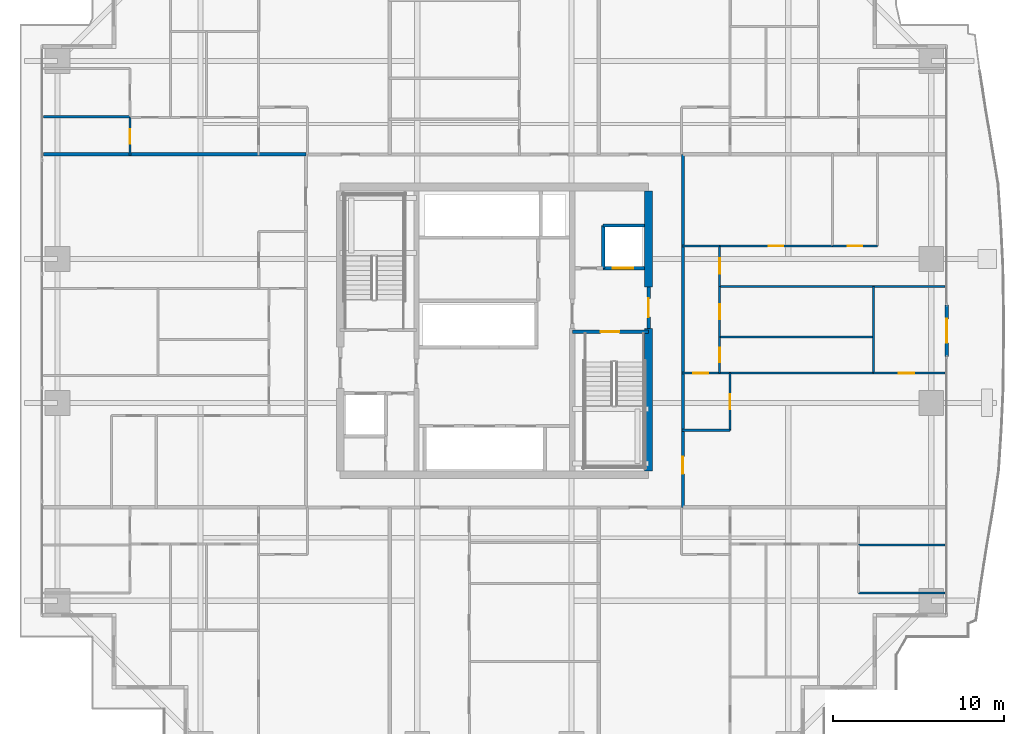
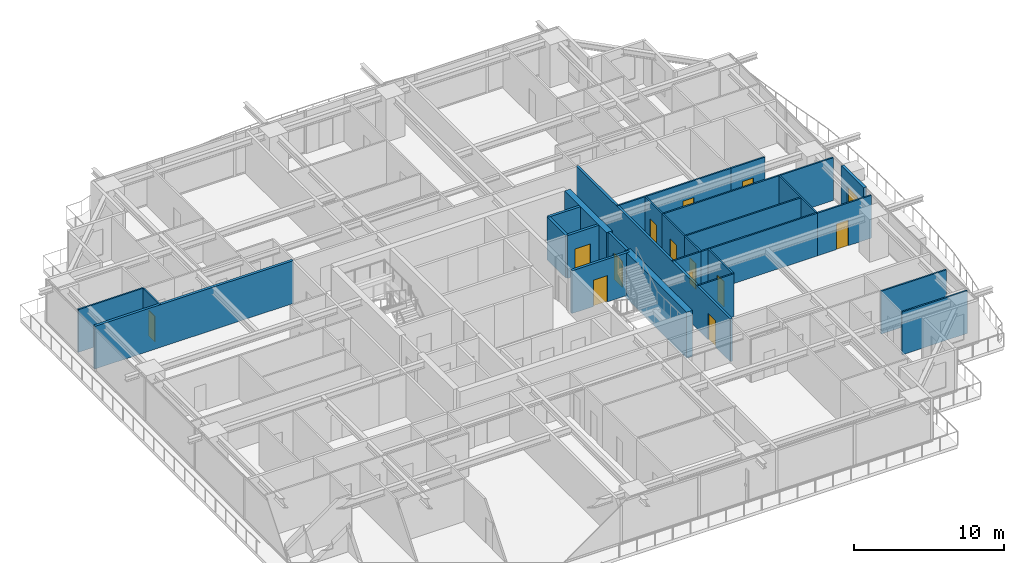
# One storey, part 29 of 38: 28 walls, 14 doors, 14 openings.
"""IFC4 building model written with IfcOpenShell, lengths in metres."""

from ifc_helpers import new_model, si_unit, direction, frame, frame_2d, origin, place, context, subcontext, project, spatial, rectangle, extrude, source, transform, mapped, material, layer, layer_set, type_object, element, fill, save


model = new_model("IFC4")

# Units and contexts
model_context = context("Model", 3, precision=1e-05, world=origin(), true_north=direction((0.0, 1.0)))
body_context = subcontext(model_context, "Body", "Model", "MODEL_VIEW")
ifc_project = project(units=[si_unit("LENGTHUNIT", "METRE"), si_unit("AREAUNIT", "SQUARE_METRE"), si_unit("VOLUMEUNIT", "CUBIC_METRE"), si_unit("PLANEANGLEUNIT", "RADIAN"), si_unit("MASSUNIT", "GRAM", prefix="KILO")], contexts=[model_context])

# Site, building, storey
site_placement = place(None, origin())
site = spatial("IfcSite", under=ifc_project, at=site_placement, CompositionType="ELEMENT")
building_placement = place(site_placement, origin())
building = spatial("IfcBuilding", under=site, at=building_placement, Name="Serunith Strait Residences", CompositionType="ELEMENT")
storey_placement = place(building_placement, frame((0.0, 0.0, 30.449951171875)))
storey = spatial("IfcBuildingStorey", under=building, at=storey_placement, Name="L06", CompositionType="ELEMENT", Elevation=30.449951171875)

# Wall, opening, door
ifc_material_1 = material(Name="Pale-Champagne Aluminium Insulated Panel", Category="aluminium")
ifc_layer_1 = layer(ifc_material_1, 0.219970703125, Name="Pale-Champagne Aluminium Insulated Panel")
ifc_layer_set_1 = layer_set([ifc_layer_1], Name="Pale-Champagne Aluminium Insulated Panel")
wall_type_1 = type_object("IfcWallType", Name="EW-ALUM-220", PredefinedType="ELEMENTEDWALL", material=ifc_layer_set_1)
wall_1_placement = place(storey_placement, frame((58.800048828125, 23.699951171875, 0.0), z_axis=(0.0, 0.0, 1.0), x_axis=(0.0, 1.0, 0.0)))
wall_1 = element("IfcWall", 1, at=wall_1_placement, inside=storey, type_object=wall_type_1, Name="L06 E Facade Pier Wall", PredefinedType="ELEMENTEDWALL", context=body_context, shape_type="SweptSolid", body=[
    extrude(rectangle(XDim=3.0, YDim=0.219970703125, at=frame_2d((1.5, 0.0))), origin(), (0.0, 0.0, 1.0), 3.47509765625),
])
opening_1_placement = place(wall_1_placement, frame((0.800048828125, 0.0, 0.0)))
opening_1 = element("IfcOpeningElement", 2, at=opening_1_placement, cuts=wall_1, Name="Opening ED-04", PredefinedType="OPENING", context=body_context, shape_type="SweptSolid", body=[
    extrude(rectangle(XDim=1.39990234375, YDim=2.25, at=frame_2d((0.699951171875, 1.125))), frame((0.0, 0.1201171875, 0.0), z_axis=(0.0, -1.0, 0.0), x_axis=(1.0, 0.0, 0.0)), (0.0, 0.0, 1.0), 0.239990234375),
])
ifc_material_2 = material(Name="Thermally-Broken Aluminium Sliding Balcony Door", Category="aluminium")
door_type_1 = type_object("IfcDoorType", Name="ED-BALC-1400", OperationType="NOTDEFINED", PredefinedType="DOOR", material=ifc_material_2)
shared_shape_1 = source(origin(), body_context, "Body", "SweptSolid", [
    extrude(rectangle(XDim=1.39990234375, YDim=2.25, at=frame_2d((0.699951171875, 1.125))), frame((0.0, 0.02490234375, 0.0), z_axis=(0.0, -1.0, 0.0), x_axis=(1.0, 0.0, 0.0)), (0.0, 0.0, 1.0), 0.050048828125),
])
door_1_placement = place(opening_1_placement, origin())
door_1 = element("IfcDoor", 3, at=door_1_placement, inside=storey, type_object=door_type_1, Name="L06 E Vertical-Forest Balcony Door", OperationType="SLIDING_TO_LEFT", OverallHeight=2.25, OverallWidth=1.39990234375, PredefinedType="DOOR", context=body_context, shape_type="MappedRepresentation", body=[
    mapped(shared_shape_1, transform((0.0, 0.0, 0.0), scale=1.0)),
])
fill(opening_1, door_1)

ifc_material_3 = material(Name="Fire-rated acoustic gypsum partition")
ifc_layer_2 = layer(ifc_material_3, 0.179931640625, Name="Fire-rated acoustic gypsum partition")
ifc_layer_set_2 = layer_set([ifc_layer_2], Name="Fire-rated acoustic gypsum partition")
wall_type_2 = type_object("IfcWallType", Name="IW-CORR-180", PredefinedType="PARTITIONING", material=ifc_layer_set_2)
wall_2_placement = place(storey_placement, frame((43.39990234375, 14.89990234375, 0.0), z_axis=(0.0, 0.0, 1.0), x_axis=(0.0, 1.0, 0.0)))
wall_2 = element("IfcWall", 4, at=wall_2_placement, inside=storey, type_object=wall_type_2, Name="L06 Partition Wall 025", PredefinedType="PARTITIONING", context=body_context, shape_type="SweptSolid", body=[
    extrude(rectangle(XDim=20.60009765625, YDim=0.179931640625, at=frame_2d((10.300048828125, 0.0))), origin(), (0.0, 0.0, 1.0), 3.489990234375),
])
opening_2_placement = place(wall_2_placement, frame((1.9599609375, 0.0, 0.0)))
opening_2 = element("IfcOpeningElement", 5, at=opening_2_placement, cuts=wall_2, Name="Opening D-APT1000", PredefinedType="OPENING", context=body_context, shape_type="SweptSolid", body=[
    extrude(rectangle(XDim=1.0, YDim=2.14990234375, at=frame_2d((0.5, 1.074951171875))), frame((0.0, 0.10009765625, 0.0), z_axis=(0.0, -1.0, 0.0), x_axis=(1.0, 0.0, 0.0)), (0.0, 0.0, 1.0), 0.199951171875),
])
ifc_material_4 = material(Name="Solid timber engineered fire door", Category="wood")
door_type_2 = type_object("IfcDoorType", Name="ID-APT-1000", OperationType="NOTDEFINED", PredefinedType="DOOR", material=ifc_material_4)
shared_shape_2 = source(origin(), body_context, "Body", "SweptSolid", [
    extrude(rectangle(XDim=1.0, YDim=2.14990234375, at=frame_2d((0.5, 1.074951171875))), frame((0.0, 0.02490234375, 0.0), z_axis=(0.0, -1.0, 0.0), x_axis=(1.0, 0.0, 0.0)), (0.0, 0.0, 1.0), 0.050048828125),
])
door_2_placement = place(opening_2_placement, origin())
door_2 = element("IfcDoor", 6, at=door_2_placement, inside=storey, type_object=door_type_2, Name="L06 Unit 08 Entrance Door", OperationType="SINGLE_SWING_RIGHT", OverallHeight=2.14990234375, OverallWidth=1.0, PredefinedType="DOOR", context=body_context, shape_type="MappedRepresentation", body=[
    mapped(shared_shape_2, transform((0.0, 0.0, 0.0), scale=1.0)),
])
fill(opening_2, door_2)

# Walls
ifc_material_5 = material(Name="Lightweight steel-stud gypsum partition", Category="steel")
ifc_layer_3 = layer(ifc_material_5, 0.1201171875, Name="Lightweight steel-stud gypsum partition")
ifc_layer_set_3 = layer_set([ifc_layer_3], Name="Lightweight steel-stud gypsum partition")
wall_type_3 = type_object("IfcWallType", Name="IW-PART-120", PredefinedType="PARTITIONING", material=ifc_layer_set_3)
wall_3_placement = place(storey_placement, frame((53.659912109375, 9.89404296875, 0.0), z_axis=(0.0, 0.0, 1.0), x_axis=(1.0, 0.0, 0.0)))
element("IfcWall", 7, at=wall_3_placement, inside=storey, type_object=wall_type_3, Name="L06 Partition Wall 059", PredefinedType="PARTITIONING", context=body_context, shape_type="SweptSolid", body=[
    extrude(rectangle(XDim=5.045166015625, YDim=0.1201171875, at=frame_2d((2.5224609375, 0.0))), origin(), (0.0, 0.0, 1.0), 3.489990234375),
])
for number, where, z_axis, x_axis, name in (
    (8, (53.662109375, 12.701904296875, 0.0), (0.0, 0.0, 1.0), (1.0, 0.0, 0.0), "L06 Partition Wall 060"),
    (9, (6.094970703125, 37.697998046875, 0.0), (0.0, 0.0, 1.0), (1.0, 0.0, 0.0), "L06 Partition Wall 075"),
):
    element("IfcWall", number, at=place(storey_placement, frame(where, z_axis=z_axis, x_axis=x_axis)), inside=storey, type_object=wall_type_3, Name=name, PredefinedType="PARTITIONING", context=body_context, shape_type="SweptSolid", body=[
        extrude(rectangle(XDim=5.04296875, YDim=0.1201171875, at=frame_2d((2.521484375, 0.0))), origin(), (0.0, 0.0, 1.0), 3.489990234375),
    ])

# Wall, opening, door
wall_4_placement = place(storey_placement, frame((11.139892578125, 37.64990234375, 0.0), z_axis=(0.0, 0.0, 1.0), x_axis=(0.0, -1.0, 0.0)))
wall_4 = element("IfcWall", 10, at=wall_4_placement, inside=storey, type_object=wall_type_3, Name="L06 Partition Wall 077", PredefinedType="PARTITIONING", context=body_context, shape_type="SweptSolid", body=[
    extrude(rectangle(XDim=2.2099609375, YDim=0.1201171875, at=frame_2d((1.10498046875, 0.0))), origin(), (0.0, 0.0, 1.0), 3.489990234375),
])
opening_3_placement = place(wall_4_placement, frame((0.679931640625, 0.0, 0.0)))
opening_3 = element("IfcOpeningElement", 11, at=opening_3_placement, cuts=wall_4, Name="Opening D-RM850", PredefinedType="OPENING", context=body_context, shape_type="SweptSolid", body=[
    extrude(rectangle(XDim=0.85009765625, YDim=2.10009765625, at=frame_2d((0.425048828125, 1.050048828125))), frame((0.0, 0.070068359375, 0.0), z_axis=(0.0, -1.0, 0.0), x_axis=(1.0, 0.0, 0.0)), (0.0, 0.0, 1.0), 0.14013671875),
])
ifc_material_6 = material(Name="Engineered timber flush study and kitchen door", Category="wood")
door_type_3 = type_object("IfcDoorType", Name="ID-ROOM-850", OperationType="NOTDEFINED", PredefinedType="DOOR", material=ifc_material_6)
shared_shape_3 = source(origin(), body_context, "Body", "SweptSolid", [
    extrude(rectangle(XDim=0.85009765625, YDim=2.10009765625, at=frame_2d((0.425048828125, 1.050048828125))), frame((0.0, 0.02490234375, 0.0), z_axis=(0.0, -1.0, 0.0), x_axis=(1.0, 0.0, 0.0)), (0.0, 0.0, 1.0), 0.050048828125),
])
door_3_placement = place(opening_3_placement, origin())
door_3 = element("IfcDoor", 12, at=door_3_placement, inside=storey, type_object=door_type_3, Name="L06 Wardrobe W 0604 Door", OperationType="SINGLE_SWING_RIGHT", OverallHeight=2.10009765625, OverallWidth=0.85009765625, PredefinedType="DOOR", context=body_context, shape_type="MappedRepresentation", body=[
    mapped(shared_shape_3, transform((0.0, 0.0, 0.0), scale=1.0)),
])
fill(opening_3, door_3)

wall_5_placement = place(storey_placement, frame((46.14990234375, 19.39990234375, 0.0), z_axis=(0.0, 0.0, 1.0), x_axis=(0.0, 1.0, 0.0)))
wall_5 = element("IfcWall", 13, at=wall_5_placement, inside=storey, type_object=wall_type_3, Name="L06 Partition Wall 116", PredefinedType="PARTITIONING", context=body_context, shape_type="SweptSolid", body=[
    extrude(rectangle(XDim=3.330078125, YDim=0.1201171875, at=frame_2d((1.6650390625, 0.0))), origin(), (0.0, 0.0, 1.0), 3.489990234375),
])
opening_4_placement = place(wall_5_placement, frame((1.239990234375, 0.0, 0.0)))
opening_4 = element("IfcOpeningElement", 14, at=opening_4_placement, cuts=wall_5, Name="Opening D-RM850", PredefinedType="OPENING", context=body_context, shape_type="SweptSolid", body=[
    extrude(rectangle(XDim=0.85009765625, YDim=2.10009765625, at=frame_2d((0.425048828125, 1.050048828125))), frame((0.0, 0.070068359375, 0.0), z_axis=(0.0, -1.0, 0.0), x_axis=(1.0, 0.0, 0.0)), (0.0, 0.0, 1.0), 0.14013671875),
])
door_4_placement = place(opening_4_placement, origin())
door_4 = element("IfcDoor", 15, at=door_4_placement, inside=storey, type_object=door_type_3, Name="L06 Kitchen 0608 Door", OperationType="SINGLE_SWING_LEFT", OverallHeight=2.10009765625, OverallWidth=0.85009765625, PredefinedType="DOOR", context=body_context, shape_type="MappedRepresentation", body=[
    mapped(shared_shape_3, transform((0.0, 0.0, 0.0), scale=1.0)),
])
fill(opening_4, door_4)

# Wall
wall_6_placement = place(storey_placement, frame((46.14990234375, 19.39990234375, 0.0), z_axis=(0.0, 0.0, 1.0), x_axis=(-1.0, 0.0, 0.0)))
element("IfcWall", 16, at=wall_6_placement, inside=storey, type_object=wall_type_3, Name="L06 Partition Wall 117", PredefinedType="PARTITIONING", context=body_context, shape_type="SweptSolid", body=[
    extrude(rectangle(XDim=2.809814453125, YDim=0.1201171875, at=frame_2d((1.40478515625, 0.0))), origin(), (0.0, 0.0, 1.0), 3.489990234375),
])

# Wall, opening, door
wall_7_placement = place(storey_placement, frame((45.550048828125, 22.72998046875, 0.0), z_axis=(0.0, 0.0, 1.0), x_axis=(-1.0, 0.0, 0.0)))
wall_7 = element("IfcWall", 17, at=wall_7_placement, inside=storey, type_object=wall_type_3, Name="L06 Partition Wall 118", PredefinedType="PARTITIONING", context=body_context, shape_type="SweptSolid", body=[
    extrude(rectangle(XDim=2.2099609375, YDim=0.1201171875, at=frame_2d((1.10498046875, 0.0))), origin(), (0.0, 0.0, 1.0), 3.489990234375),
])
opening_5_placement = place(wall_7_placement, frame((0.655029296875, 0.0, 0.0)))
opening_5 = element("IfcOpeningElement", 18, at=opening_5_placement, cuts=wall_7, Name="Opening D-RM900", PredefinedType="OPENING", context=body_context, shape_type="SweptSolid", body=[
    extrude(rectangle(XDim=0.89990234375, YDim=2.10009765625, at=frame_2d((0.449951171875, 1.050048828125))), frame((0.0, 0.070068359375, 0.0), z_axis=(0.0, -1.0, 0.0), x_axis=(1.0, 0.0, 0.0)), (0.0, 0.0, 1.0), 0.14013671875),
])
ifc_material_7 = material(Name="Engineered timber flush bedroom door", Category="wood")
door_type_4 = type_object("IfcDoorType", Name="ID-ROOM-900", OperationType="NOTDEFINED", PredefinedType="DOOR", material=ifc_material_7)
shared_shape_4 = source(origin(), body_context, "Body", "SweptSolid", [
    extrude(rectangle(XDim=0.89990234375, YDim=2.10009765625, at=frame_2d((0.449951171875, 1.050048828125))), frame((0.0, 0.02490234375, 0.0), z_axis=(0.0, -1.0, 0.0), x_axis=(1.0, 0.0, 0.0)), (0.0, 0.0, 1.0), 0.050048828125),
])
door_5_placement = place(opening_5_placement, origin())
door_5 = element("IfcDoor", 19, at=door_5_placement, inside=storey, type_object=door_type_4, Name="L06 Hall E 0608 Door", OperationType="SINGLE_SWING_RIGHT", OverallHeight=2.10009765625, OverallWidth=0.89990234375, PredefinedType="DOOR", context=body_context, shape_type="MappedRepresentation", body=[
    mapped(shared_shape_4, transform((0.0, 0.0, 0.0), scale=1.0)),
])
fill(opening_5, door_5)

wall_8_placement = place(storey_placement, frame((58.705078125, 22.72998046875, 0.0), z_axis=(0.0, 0.0, 1.0), x_axis=(-1.0, 0.0, 0.0)))
wall_8 = element("IfcWall", 20, at=wall_8_placement, inside=storey, type_object=wall_type_3, Name="L06 Partition Wall 119", PredefinedType="PARTITIONING", context=body_context, shape_type="SweptSolid", body=[
    extrude(rectangle(XDim=4.1650390625, YDim=0.1201171875, at=frame_2d((2.08251953125, 0.0))), origin(), (0.0, 0.0, 1.0), 3.489990234375),
])
opening_6_placement = place(wall_8_placement, frame((1.7958984375, 0.0, 0.0)))
opening_6 = element("IfcOpeningElement", 21, at=opening_6_placement, cuts=wall_8, Name="Opening D-RM900", PredefinedType="OPENING", context=body_context, shape_type="SweptSolid", body=[
    extrude(rectangle(XDim=0.89990234375, YDim=2.10009765625, at=frame_2d((0.449951171875, 1.050048828125))), frame((0.0, 0.070068359375, 0.0), z_axis=(0.0, -1.0, 0.0), x_axis=(1.0, 0.0, 0.0)), (0.0, 0.0, 1.0), 0.14013671875),
])
door_6_placement = place(opening_6_placement, origin())
door_6 = element("IfcDoor", 22, at=door_6_placement, inside=storey, type_object=door_type_4, Name="L06 Study 1 0608 Door", OperationType="SINGLE_SWING_LEFT", OverallHeight=2.10009765625, OverallWidth=0.89990234375, PredefinedType="DOOR", context=body_context, shape_type="MappedRepresentation", body=[
    mapped(shared_shape_4, transform((0.0, 0.0, 0.0), scale=1.0)),
])
fill(opening_6, door_6)

# Walls
wall_9_placement = place(storey_placement, frame((54.5380859375, 22.72998046875, 0.0), z_axis=(0.0, 0.0, 1.0), x_axis=(-1.0, 0.0, 0.0)))
element("IfcWall", 23, at=wall_9_placement, inside=storey, type_object=wall_type_3, Name="L06 Partition Wall 120", PredefinedType="PARTITIONING", context=body_context, shape_type="SweptSolid", body=[
    extrude(rectangle(XDim=8.986083984375, YDim=0.1201171875, at=frame_2d((4.4931640625, 0.0))), origin(), (0.0, 0.0, 1.0), 3.489990234375),
])
wall_10_placement = place(storey_placement, frame((54.5400390625, 22.72998046875, 0.0), z_axis=(0.0, 0.0, 1.0), x_axis=(0.0, 1.0, 0.0)))
element("IfcWall", 24, at=wall_10_placement, inside=storey, type_object=wall_type_3, Name="L06 Partition Wall 121", PredefinedType="PARTITIONING", context=body_context, shape_type="SweptSolid", body=[
    extrude(rectangle(XDim=5.070068359375, YDim=0.1201171875, at=frame_2d((2.53515625, 0.0))), origin(), (0.0, 0.0, 1.0), 3.489990234375),
])
wall_11_placement = place(storey_placement, frame((58.705078125, 27.800048828125, 0.0), z_axis=(0.0, 0.0, 1.0), x_axis=(-1.0, 0.0, 0.0)))
element("IfcWall", 25, at=wall_11_placement, inside=storey, type_object=wall_type_3, Name="L06 Partition Wall 122", PredefinedType="PARTITIONING", context=body_context, shape_type="SweptSolid", body=[
    extrude(rectangle(XDim=13.155029296875, YDim=0.1201171875, at=frame_2d((6.57763671875, 0.0))), origin(), (0.0, 0.0, 1.0), 3.489990234375),
])
wall_12_placement = place(storey_placement, frame((54.5400390625, 24.830078125, 0.0), z_axis=(0.0, 0.0, 1.0), x_axis=(-1.0, 0.0, 0.0)))
element("IfcWall", 26, at=wall_12_placement, inside=storey, type_object=wall_type_3, Name="L06 Partition Wall 123", PredefinedType="PARTITIONING", context=body_context, shape_type="SweptSolid", body=[
    extrude(rectangle(XDim=8.989990234375, YDim=0.1201171875, at=frame_2d((4.4951171875, 0.0))), origin(), (0.0, 0.0, 1.0), 3.489990234375),
])

# Wall, opening, door
wall_13_placement = place(storey_placement, frame((45.550048828125, 22.72998046875, 0.0), z_axis=(0.0, 0.0, 1.0), x_axis=(0.0, 1.0, 0.0)))
wall_13 = element("IfcWall", 27, at=wall_13_placement, inside=storey, type_object=wall_type_3, Name="L06 Partition Wall 124", PredefinedType="PARTITIONING", context=body_context, shape_type="SweptSolid", body=[
    extrude(rectangle(XDim=2.10009765625, YDim=0.1201171875, at=frame_2d((1.050048828125, 0.0))), origin(), (0.0, 0.0, 1.0), 3.489990234375),
])
opening_7_placement = place(wall_13_placement, frame((0.625, 0.0, 0.0)))
opening_7 = element("IfcOpeningElement", 28, at=opening_7_placement, cuts=wall_13, Name="Opening D-BTH850", PredefinedType="OPENING", context=body_context, shape_type="SweptSolid", body=[
    extrude(rectangle(XDim=0.85009765625, YDim=2.10009765625, at=frame_2d((0.425048828125, 1.050048828125))), frame((0.0, 0.070068359375, 0.0), z_axis=(0.0, -1.0, 0.0), x_axis=(1.0, 0.0, 0.0)), (0.0, 0.0, 1.0), 0.14013671875),
])
ifc_material_8 = material(Name="Moisture-resistant timber bathroom door", Category="wood")
door_type_5 = type_object("IfcDoorType", Name="ID-BATH-850", OperationType="NOTDEFINED", PredefinedType="DOOR", material=ifc_material_8)
door_7_placement = place(opening_7_placement, origin())
door_7 = element("IfcDoor", 29, at=door_7_placement, inside=storey, type_object=door_type_5, Name="L06 Bathroom 0608 Door", OperationType="SINGLE_SWING_RIGHT", OverallHeight=2.10009765625, OverallWidth=0.85009765625, PredefinedType="DOOR", context=body_context, shape_type="MappedRepresentation", body=[
    mapped(shared_shape_3, transform((0.0, 0.0, 0.0), scale=1.0)),
])
fill(opening_7, door_7)

wall_14_placement = place(storey_placement, frame((45.550048828125, 24.83203125, 0.0), z_axis=(0.0, 0.0, 1.0), x_axis=(0.0, 1.0, 0.0)))
wall_14 = element("IfcWall", 30, at=wall_14_placement, inside=storey, type_object=wall_type_3, Name="L06 Partition Wall 125", PredefinedType="PARTITIONING", context=body_context, shape_type="SweptSolid", body=[
    extrude(rectangle(XDim=2.968017578125, YDim=0.1201171875, at=frame_2d((1.48388671875, 0.0))), origin(), (0.0, 0.0, 1.0), 3.489990234375),
])
opening_8_placement = place(wall_14_placement, frame((1.05908203125, 0.0, 0.0)))
opening_8 = element("IfcOpeningElement", 31, at=opening_8_placement, cuts=wall_14, Name="Opening D-RM850", PredefinedType="OPENING", context=body_context, shape_type="SweptSolid", body=[
    extrude(rectangle(XDim=0.85009765625, YDim=2.10009765625, at=frame_2d((0.425048828125, 1.050048828125))), frame((0.0, 0.070068359375, 0.0), z_axis=(0.0, -1.0, 0.0), x_axis=(1.0, 0.0, 0.0)), (0.0, 0.0, 1.0), 0.14013671875),
])
door_8_placement = place(opening_8_placement, origin())
door_8 = element("IfcDoor", 32, at=door_8_placement, inside=storey, type_object=door_type_3, Name="L06 Study 0608 Door", OperationType="SINGLE_SWING_LEFT", OverallHeight=2.10009765625, OverallWidth=0.85009765625, PredefinedType="DOOR", context=body_context, shape_type="MappedRepresentation", body=[
    mapped(shared_shape_3, transform((0.0, 0.0, 0.0), scale=1.0)),
])
fill(opening_8, door_8)

wall_15_placement = place(storey_placement, frame((45.550048828125, 27.802001953125, 0.0), z_axis=(0.0, 0.0, 1.0), x_axis=(0.0, 1.0, 0.0)))
wall_15 = element("IfcWall", 33, at=wall_15_placement, inside=storey, type_object=wall_type_3, Name="L06 Partition Wall 126", PredefinedType="PARTITIONING", context=body_context, shape_type="SweptSolid", body=[
    extrude(rectangle(XDim=2.347900390625, YDim=0.1201171875, at=frame_2d((1.173828125, 0.0))), origin(), (0.0, 0.0, 1.0), 3.489990234375),
])
opening_9_placement = place(wall_15_placement, frame((0.72412109375, 0.0, 0.0)))
opening_9 = element("IfcOpeningElement", 34, at=opening_9_placement, cuts=wall_15, Name="Opening D-RM900", PredefinedType="OPENING", context=body_context, shape_type="SweptSolid", body=[
    extrude(rectangle(XDim=0.89990234375, YDim=2.10009765625, at=frame_2d((0.449951171875, 1.050048828125))), frame((0.0, 0.070068359375, 0.0), z_axis=(0.0, -1.0, 0.0), x_axis=(1.0, 0.0, 0.0)), (0.0, 0.0, 1.0), 0.14013671875),
])
door_9_placement = place(opening_9_placement, origin())
door_9 = element("IfcDoor", 35, at=door_9_placement, inside=storey, type_object=door_type_4, Name="L06 Master Bedroom E 0608 Door", OperationType="SINGLE_SWING_RIGHT", OverallHeight=2.10009765625, OverallWidth=0.89990234375, PredefinedType="DOOR", context=body_context, shape_type="MappedRepresentation", body=[
    mapped(shared_shape_4, transform((0.0, 0.0, 0.0), scale=1.0)),
])
fill(opening_9, door_9)

wall_16_placement = place(storey_placement, frame((54.75, 30.14990234375, 0.0), z_axis=(0.0, 0.0, 1.0), x_axis=(-1.0, 0.0, 0.0)))
wall_16 = element("IfcWall", 36, at=wall_16_placement, inside=storey, type_object=wall_type_3, Name="L06 Partition Wall 129", PredefinedType="PARTITIONING", context=body_context, shape_type="SweptSolid", body=[
    extrude(rectangle(XDim=2.616943359375, YDim=0.1201171875, at=frame_2d((1.30859375, 0.0))), origin(), (0.0, 0.0, 1.0), 3.489990234375),
])
opening_10_placement = place(wall_16_placement, frame((0.883056640625, 0.0, 0.0)))
opening_10 = element("IfcOpeningElement", 37, at=opening_10_placement, cuts=wall_16, Name="Opening D-BTH850", PredefinedType="OPENING", context=body_context, shape_type="SweptSolid", body=[
    extrude(rectangle(XDim=0.85009765625, YDim=2.10009765625, at=frame_2d((0.425048828125, 1.050048828125))), frame((0.0, 0.070068359375, 0.0), z_axis=(0.0, -1.0, 0.0), x_axis=(1.0, 0.0, 0.0)), (0.0, 0.0, 1.0), 0.14013671875),
])
door_10_placement = place(opening_10_placement, origin())
door_10 = element("IfcDoor", 38, at=door_10_placement, inside=storey, type_object=door_type_5, Name="L06 En-suite Bathroom E 0608 Door", OperationType="SINGLE_SWING_LEFT", OverallHeight=2.10009765625, OverallWidth=0.85009765625, PredefinedType="DOOR", context=body_context, shape_type="MappedRepresentation", body=[
    mapped(shared_shape_3, transform((0.0, 0.0, 0.0), scale=1.0)),
])
fill(opening_10, door_10)

wall_17_placement = place(storey_placement, frame((52.131103515625, 30.14990234375, 0.0), z_axis=(0.0, 0.0, 1.0), x_axis=(-1.0, 0.0, 0.0)))
wall_17 = element("IfcWall", 39, at=wall_17_placement, inside=storey, type_object=wall_type_3, Name="L06 Partition Wall 130", PredefinedType="PARTITIONING", context=body_context, shape_type="SweptSolid", body=[
    extrude(rectangle(XDim=6.5810546875, YDim=0.1201171875, at=frame_2d((3.29052734375, 0.0))), origin(), (0.0, 0.0, 1.0), 3.489990234375),
])
opening_11_placement = place(wall_17_placement, frame((2.865966796875, 0.0, 0.0)))
opening_11 = element("IfcOpeningElement", 40, at=opening_11_placement, cuts=wall_17, Name="Opening D-RM850", PredefinedType="OPENING", context=body_context, shape_type="SweptSolid", body=[
    extrude(rectangle(XDim=0.85009765625, YDim=2.10009765625, at=frame_2d((0.425048828125, 1.050048828125))), frame((0.0, 0.070068359375, 0.0), z_axis=(0.0, -1.0, 0.0), x_axis=(1.0, 0.0, 0.0)), (0.0, 0.0, 1.0), 0.14013671875),
])
door_11_placement = place(opening_11_placement, origin())
door_11 = element("IfcDoor", 41, at=door_11_placement, inside=storey, type_object=door_type_3, Name="L06 Wardrobe E 0608 Door", OperationType="SINGLE_SWING_RIGHT", OverallHeight=2.10009765625, OverallWidth=0.85009765625, PredefinedType="DOOR", context=body_context, shape_type="MappedRepresentation", body=[
    mapped(shared_shape_3, transform((0.0, 0.0, 0.0), scale=1.0)),
])
fill(opening_11, door_11)

# Walls
wall_18_placement = place(storey_placement, frame((45.548095703125, 30.14990234375, 0.0), z_axis=(0.0, 0.0, 1.0), x_axis=(-1.0, 0.0, 0.0)))
element("IfcWall", 42, at=wall_18_placement, inside=storey, type_object=wall_type_3, Name="L06 Partition Wall 131", PredefinedType="PARTITIONING", context=body_context, shape_type="SweptSolid", body=[
    extrude(rectangle(XDim=2.2080078125, YDim=0.1201171875, at=frame_2d((1.10400390625, 0.0))), origin(), (0.0, 0.0, 1.0), 3.489990234375),
])
ifc_material_9 = material(Name="Twin-stud acoustic gypsum board partition")
ifc_layer_4 = layer(ifc_material_9, 0.199951171875, Name="Twin-stud acoustic gypsum board partition")
ifc_layer_set_4 = layer_set([ifc_layer_4], Name="Twin-stud acoustic gypsum board partition")
wall_type_4 = type_object("IfcWallType", Name="IW-PARTY-200", PredefinedType="PARTITIONING", material=ifc_layer_set_4)
wall_19_placement = place(storey_placement, frame((6.08203125, 35.5, 0.0), z_axis=(0.0, 0.0, 1.0), x_axis=(1.0, 0.0, 0.0)))
element("IfcWall", 43, at=wall_19_placement, inside=storey, type_object=wall_type_4, Name="L06 Partition Wall 020", PredefinedType="PARTITIONING", context=body_context, shape_type="SweptSolid", body=[
    extrude(rectangle(XDim=15.31787109375, YDim=0.199951171875, at=frame_2d((7.658935546875, 0.0))), origin(), (0.0, 0.0, 1.0), 3.489990234375),
])

# Wall, opening, door
ifc_material_10 = material(Name="Autoclaved aerated concrete blockwork", Category="masonry")
ifc_layer_5 = layer(ifc_material_10, 0.199951171875, Name="Autoclaved aerated concrete blockwork")
ifc_layer_set_5 = layer_set([ifc_layer_5], Name="Autoclaved aerated concrete blockwork")
wall_type_5 = type_object("IfcWallType", Name="IW-SHAFT-200", PredefinedType="STANDARD", material=ifc_layer_set_5)
wall_20_placement = place(storey_placement, frame((36.949951171875, 25.14990234375, 0.0), z_axis=(0.0, 0.0, 1.0), x_axis=(1.0, 0.0, 0.0)))
wall_20 = element("IfcWall", 44, at=wall_20_placement, inside=storey, type_object=wall_type_5, Name="L06 ST-2 North Shaft Wall", PredefinedType="STANDARD", context=body_context, shape_type="SweptSolid", body=[
    extrude(rectangle(XDim=4.449951171875, YDim=0.199951171875, at=frame_2d((2.22509765625, 0.0))), origin(), (0.0, 0.0, 1.0), 3.489990234375),
])
opening_12_placement = place(wall_20_placement, frame((1.64990234375, 0.0, 0.0)))
opening_12 = element("IfcOpeningElement", 45, at=opening_12_placement, cuts=wall_20, Name="Opening FD-1100", PredefinedType="OPENING", context=body_context, shape_type="SweptSolid", body=[
    extrude(rectangle(XDim=1.10009765625, YDim=2.14990234375, at=frame_2d((0.550048828125, 1.074951171875))), frame((0.0, 0.10986328125, 0.0), z_axis=(0.0, -1.0, 0.0), x_axis=(1.0, 0.0, 0.0)), (0.0, 0.0, 1.0), 0.219970703125),
])
ifc_material_11 = material(Name="Galvanised steel fire door leaf", Category="steel")
door_type_6 = type_object("IfcDoorType", Name="FD-STAIR-1100", OperationType="NOTDEFINED", PredefinedType="DOOR", material=ifc_material_11)
shared_shape_5 = source(origin(), body_context, "Body", "SweptSolid", [
    extrude(rectangle(XDim=1.10009765625, YDim=2.14990234375, at=frame_2d((0.550048828125, 1.074951171875))), frame((0.0, 0.02490234375, 0.0), z_axis=(0.0, -1.0, 0.0), x_axis=(1.0, 0.0, 0.0)), (0.0, 0.0, 1.0), 0.050048828125),
])
door_12_placement = place(opening_12_placement, origin())
door_12 = element("IfcDoor", 46, at=door_12_placement, inside=storey, type_object=door_type_6, Name="L06 ST-2 Escape Stair Door", OperationType="SINGLE_SWING_LEFT", OverallHeight=2.14990234375, OverallWidth=1.10009765625, PredefinedType="DOOR", context=body_context, shape_type="MappedRepresentation", body=[
    mapped(shared_shape_5, transform((0.0, 0.0, 0.0), scale=1.0)),
])
fill(opening_12, door_12)

wall_21_placement = place(storey_placement, frame((38.75, 28.85009765625, 0.0), z_axis=(0.0, 0.0, 1.0), x_axis=(1.0, 0.0, 0.0)))
wall_21 = element("IfcWall", 47, at=wall_21_placement, inside=storey, type_object=wall_type_5, Name="L06 FL-2 South Shaft Wall", PredefinedType="STANDARD", context=body_context, shape_type="SweptSolid", body=[
    extrude(rectangle(XDim=2.425048828125, YDim=0.199951171875, at=frame_2d((1.21240234375, 0.0))), origin(), (0.0, 0.0, 1.0), 3.489990234375),
])
opening_13_placement = place(wall_21_placement, frame((0.550048828125, 0.0, 0.0)))
opening_13 = element("IfcOpeningElement", 48, at=opening_13_placement, cuts=wall_21, Name="Opening LD-FF1200", PredefinedType="OPENING", context=body_context, shape_type="SweptSolid", body=[
    extrude(rectangle(XDim=1.199951171875, YDim=2.199951171875, at=frame_2d((0.60009765625, 1.10009765625))), frame((0.0, 0.10986328125, 0.0), z_axis=(0.0, -1.0, 0.0), x_axis=(1.0, 0.0, 0.0)), (0.0, 0.0, 1.0), 0.219970703125),
])
ifc_material_12 = material(Name="Brushed stainless steel landing door", Category="steel")
door_type_7 = type_object("IfcDoorType", Name="LD-FF-1200", OperationType="DOUBLE_DOOR_SLIDING", PredefinedType="DOOR", material=ifc_material_12)
shared_shape_6 = source(origin(), body_context, "Body", "SweptSolid", [
    extrude(rectangle(XDim=1.199951171875, YDim=2.199951171875, at=frame_2d((0.60009765625, 1.10009765625))), frame((0.0, 0.02490234375, 0.0), z_axis=(0.0, -1.0, 0.0), x_axis=(1.0, 0.0, 0.0)), (0.0, 0.0, 1.0), 0.050048828125),
])
door_13_placement = place(opening_13_placement, origin())
door_13 = element("IfcDoor", 49, at=door_13_placement, inside=storey, type_object=door_type_7, Name="L06 FL-2 Landing Door", OperationType="DOUBLE_DOOR_SLIDING", OverallHeight=2.199951171875, OverallWidth=1.199951171875, PredefinedType="DOOR", context=body_context, shape_type="MappedRepresentation", body=[
    mapped(shared_shape_6, transform((0.0, 0.0, 0.0), scale=1.0)),
])
fill(opening_13, door_13)

# Walls
wall_22_placement = place(storey_placement, frame((38.75, 28.85009765625, 0.0), z_axis=(0.0, 0.0, 1.0), x_axis=(0.0, 1.0, 0.0)))
element("IfcWall", 50, at=wall_22_placement, inside=storey, type_object=wall_type_5, Name="L06 Partition Wall 004", PredefinedType="STANDARD", context=body_context, shape_type="SweptSolid", body=[
    extrude(rectangle(XDim=2.5, YDim=0.199951171875, at=frame_2d((1.25, 0.0))), origin(), (0.0, 0.0, 1.0), 3.489990234375),
])
wall_23_placement = place(storey_placement, frame((38.75, 31.35009765625, 0.0), z_axis=(0.0, 0.0, 1.0), x_axis=(1.0, 0.0, 0.0)))
element("IfcWall", 51, at=wall_23_placement, inside=storey, type_object=wall_type_5, Name="L06 Partition Wall 005", PredefinedType="STANDARD", context=body_context, shape_type="SweptSolid", body=[
    extrude(rectangle(XDim=2.425048828125, YDim=0.199951171875, at=frame_2d((1.21240234375, 0.0))), origin(), (0.0, 0.0, 1.0), 3.489990234375),
])

# Wall, opening, door
wall_24_placement = place(storey_placement, frame((41.39990234375, 25.35205078125, 0.0), z_axis=(0.0, 0.0, 1.0), x_axis=(0.0, 1.0, 0.0)))
wall_24 = element("IfcWall", 52, at=wall_24_placement, inside=storey, type_object=wall_type_5, Name="L06 Partition Wall 008", PredefinedType="STANDARD", context=body_context, shape_type="SweptSolid", body=[
    extrude(rectangle(XDim=2.39599609375, YDim=0.199951171875, at=frame_2d((1.197998046875, 0.0))), origin(), (0.0, 0.0, 1.0), 3.489990234375),
])
opening_14_placement = place(wall_24_placement, frame((0.64794921875, 0.0, 0.0)))
opening_14 = element("IfcOpeningElement", 53, at=opening_14_placement, cuts=wall_24, Name="Opening FD-FFL", PredefinedType="OPENING", context=body_context, shape_type="SweptSolid", body=[
    extrude(rectangle(XDim=1.10009765625, YDim=2.14990234375, at=frame_2d((0.550048828125, 1.074951171875))), frame((0.0, 0.10986328125, 0.0), z_axis=(0.0, -1.0, 0.0), x_axis=(1.0, 0.0, 0.0)), (0.0, 0.0, 1.0), 0.219970703125),
])
ifc_material_13 = material(Name="Glazed steel smoke-lobby fire door", Category="steel")
door_type_8 = type_object("IfcDoorType", Name="FD-FFL-1100", OperationType="NOTDEFINED", PredefinedType="DOOR", material=ifc_material_13)
door_14_placement = place(opening_14_placement, origin())
door_14 = element("IfcDoor", 54, at=door_14_placement, inside=storey, type_object=door_type_8, Name="L06 FFL-2 Corridor Fire Door", OperationType="SINGLE_SWING_RIGHT", OverallHeight=2.14990234375, OverallWidth=1.10009765625, PredefinedType="DOOR", context=body_context, shape_type="MappedRepresentation", body=[
    mapped(shared_shape_5, transform((0.0, 0.0, 0.0), scale=1.0)),
])
fill(opening_14, door_14)

# Walls
ifc_material_14 = material(Name="Concrete C80/95", Category="concrete")
ifc_layer_6 = layer(ifc_material_14, 0.449951171875, Name="Concrete C80/95")
ifc_layer_set_6 = layer_set([ifc_layer_6], Name="Concrete C80/95")
wall_type_6 = type_object("IfcWallType", Name="SW-450-C80", PredefinedType="SHEAR", material=ifc_layer_set_6)
wall_25_placement = place(storey_placement, frame((41.39990234375, 17.02490234375, -0.260009765625), z_axis=(0.0, 0.0, 1.0), x_axis=(0.0, 1.0, 0.0)))
element("IfcWall", 55, at=wall_25_placement, inside=storey, type_object=wall_type_6, Name="L06 Core East Shear Wall South Pier", PredefinedType="SHEAR", context=body_context, shape_type="SweptSolid", body=[
    extrude(rectangle(XDim=8.3251953125, YDim=0.449951171875, at=frame_2d((4.16259765625, 0.0))), origin(), (0.0, 0.0, 1.0), 3.748046875),
])
wall_26_placement = place(storey_placement, frame((41.39990234375, 27.75, -0.260009765625), z_axis=(0.0, 0.0, 1.0), x_axis=(0.0, 1.0, 0.0)))
element("IfcWall", 56, at=wall_26_placement, inside=storey, type_object=wall_type_6, Name="L06 Core East Shear Wall North Pier", PredefinedType="SHEAR", context=body_context, shape_type="SweptSolid", body=[
    extrude(rectangle(XDim=5.625, YDim=0.449951171875, at=frame_2d((2.8125, 0.0))), origin(), (0.0, 0.0, 1.0), 3.748046875),
])

save(model, "model.ifc")
